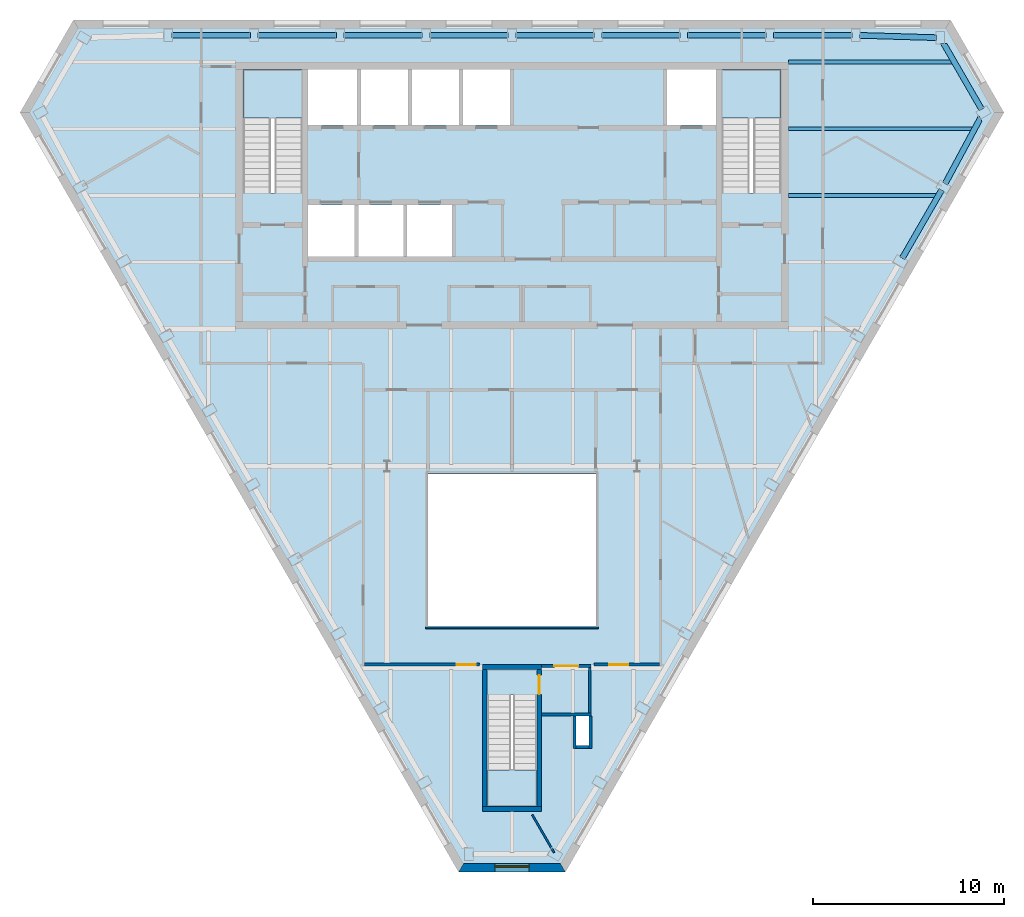
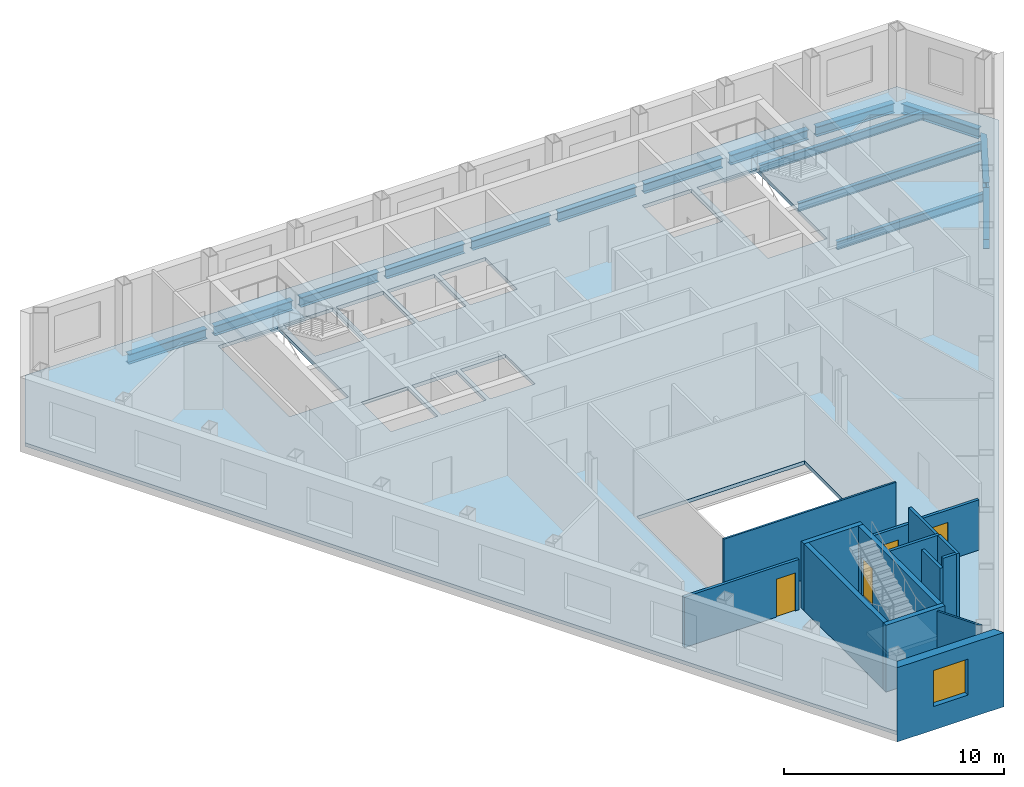
# One storey, part 3 of 10: 15 beams, 15 walls, 4 doors, 4 slabs, 1 window, 5 openings, 3 elements without a shape of their own.
"""IFC4 building model written with IfcOpenShell, lengths in metres."""

from ifc_helpers import new_model, si_unit, direction, frame, frame_2d, origin, origin_2d, place, context, subcontext, project, spatial, polyline, rectangle, i_section, outline, extrude, clip, halfspace, material, layer, layer_set, material_profile, profile_set, type_object, element, fill, aggregate, save


model = new_model("IFC4")

# Units and contexts
model_context = context("Model", 3, precision=1e-05, world=origin(), true_north=direction((0.0, 1.0)))
body_context = subcontext(model_context, "Body", "Model", "MODEL_VIEW")
ifc_project = project(units=[si_unit("LENGTHUNIT", "METRE"), si_unit("AREAUNIT", "SQUARE_METRE"), si_unit("VOLUMEUNIT", "CUBIC_METRE"), si_unit("PLANEANGLEUNIT", "RADIAN"), si_unit("MASSUNIT", "GRAM", prefix="KILO")], contexts=[model_context])

# Site, building, storey
site_placement = place(None, origin())
site = spatial("IfcSite", under=ifc_project, at=site_placement, CompositionType="ELEMENT")
building_placement = place(site_placement, origin())
building = spatial("IfcBuilding", under=site, at=building_placement, Name="Njiva Tower", CompositionType="ELEMENT")
storey_placement = place(building_placement, frame((0.0, 0.0, 276.6)))
storey = spatial("IfcBuildingStorey", under=building, at=storey_placement, Name="L63", CompositionType="ELEMENT", Elevation=276.6)

# Beams
ifc_material_1 = material(Name="Steel S355 J2", Category="steel")
ifc_material_profile_1 = material_profile(ifc_material_1, i_section(OverallWidth=0.19, OverallDepth=0.45, WebThickness=0.0094, FlangeThickness=0.0146, at=origin_2d()), Name="IPE 450")
ifc_profile_set_1 = profile_set([ifc_material_profile_1], Name="Steel S355 J2")
beam_type_1 = type_object("IfcBeamType", Name="B37 Floor beam to the core IPE 450", PredefinedType="BEAM", material=ifc_profile_set_1)
beam_1_placement = place(storey_placement, frame((14.5, 11.0, -0.425), z_axis=(1.0, 0.0, 0.0), x_axis=(0.0, 1.0, 0.0)))
element("IfcBeam", 1, at=beam_1_placement, inside=storey, type_object=beam_type_1, Name="Floor beam to the core S20-B008", PredefinedType="BEAM", context=body_context, shape_type="Clipping", body=[
    clip(extrude(i_section(OverallWidth=0.19, OverallDepth=0.45, WebThickness=0.0094, FlangeThickness=0.0146, at=origin_2d()), origin(), (0.0, 0.0, 1.0), 7.824), halfspace(frame((-0.025, 0.0, 7.7347), z_axis=(-0.499998009787, 0.0, 0.866026552831), x_axis=(0.0, 1.0, 0.0)), False)),
])
beam_2_placement = place(storey_placement, frame((14.5, 18.0, -0.425), z_axis=(1.0, 0.0, 0.0), x_axis=(0.0, 1.0, 0.0)))
element("IfcBeam", 2, at=beam_2_placement, inside=storey, type_object=beam_type_1, Name="Floor beam to the core S20-B010", PredefinedType="BEAM", context=body_context, shape_type="Clipping", body=[
    clip(extrude(i_section(OverallWidth=0.19, OverallDepth=0.45, WebThickness=0.0094, FlangeThickness=0.0146, at=origin_2d()), origin(), (0.0, 0.0, 1.0), 8.652), halfspace(frame((0.025, 0.0, 8.5628), z_axis=(0.499998009787, 0.0, 0.866026552831), x_axis=(0.0, 1.0, 0.0)), False)),
])
ifc_material_profile_2 = material_profile(ifc_material_1, i_section(OverallWidth=0.3, OverallDepth=0.54, WebThickness=0.0125, FlangeThickness=0.024, at=origin_2d()), Name="HEA 550")
ifc_profile_set_2 = profile_set([ifc_material_profile_2], Name="Steel S355 J2")
beam_type_2 = type_object("IfcBeamType", Name="B39 Short-span spandrel beam HEA 550", PredefinedType="SPANDREL", material=ifc_profile_set_2)
beam_3_placement = place(storey_placement, frame((22.257, 19.273, -0.47), z_axis=(-0.999547991975, 0.030063461852, 0.0), x_axis=(-0.030063461852, -0.999547991975, 0.0)))
element("IfcBeam", 3, at=beam_3_placement, inside=storey, type_object=beam_type_2, Name="Short-span spandrel beam S20-B122", PredefinedType="SPANDREL", context=body_context, shape_type="SweptSolid", body=[
    extrude(i_section(OverallWidth=0.3, OverallDepth=0.54, WebThickness=0.0125, FlangeThickness=0.024, at=origin_2d()), origin(), (0.0, 0.0, 1.0), 4.0248),
])
beam_4_placement = place(storey_placement, frame((17.83, 19.4, -0.47), z_axis=(-1.0, 0.0, 0.0), x_axis=(0.0, -1.0, 0.0)))
element("IfcBeam", 4, at=beam_4_placement, inside=storey, type_object=beam_type_2, Name="Short-span spandrel beam S20-B116", PredefinedType="SPANDREL", context=body_context, shape_type="SweptSolid", body=[
    extrude(i_section(OverallWidth=0.3, OverallDepth=0.54, WebThickness=0.0125, FlangeThickness=0.024, at=origin_2d()), origin(), (0.0, 0.0, 1.0), 4.107),
])
beam_5_placement = place(storey_placement, frame((13.323, 19.4, -0.47), z_axis=(-1.0, 0.0, 0.0), x_axis=(0.0, -1.0, 0.0)))
element("IfcBeam", 5, at=beam_5_placement, inside=storey, type_object=beam_type_2, Name="Short-span spandrel beam S20-B111", PredefinedType="SPANDREL", context=body_context, shape_type="SweptSolid", body=[
    extrude(i_section(OverallWidth=0.3, OverallDepth=0.54, WebThickness=0.0125, FlangeThickness=0.024, at=origin_2d()), origin(), (0.0, 0.0, 1.0), 4.108),
])
beam_6_placement = place(storey_placement, frame((8.815, 19.4, -0.47), z_axis=(-1.0, 0.0, 0.0), x_axis=(0.0, -1.0, 0.0)))
element("IfcBeam", 6, at=beam_6_placement, inside=storey, type_object=beam_type_2, Name="Short-span spandrel beam S20-B106", PredefinedType="SPANDREL", context=body_context, shape_type="SweptSolid", body=[
    extrude(i_section(OverallWidth=0.3, OverallDepth=0.54, WebThickness=0.0125, FlangeThickness=0.024, at=origin_2d()), origin(), (0.0, 0.0, 1.0), 4.107),
])
for number, where, z_axis, x_axis, name in (
    (7, (4.308, 19.4, -0.47), (-1.0, 0.0, 0.0), (0.0, -1.0, 0.0), "Short-span spandrel beam S20-B100"),
    (8, (-0.2, 19.4, -0.47), (-1.0, 0.0, 0.0), (0.0, -1.0, 0.0), "Short-span spandrel beam S20-B097"),
):
    element("IfcBeam", number, at=place(storey_placement, frame(where, z_axis=z_axis, x_axis=x_axis)), inside=storey, type_object=beam_type_2, Name=name, PredefinedType="SPANDREL", context=body_context, shape_type="SweptSolid", body=[
        extrude(i_section(OverallWidth=0.3, OverallDepth=0.54, WebThickness=0.0125, FlangeThickness=0.024, at=origin_2d()), origin(), (0.0, 0.0, 1.0), 4.108),
    ])
beam_7_placement = place(storey_placement, frame((-4.708, 19.4, -0.47), z_axis=(-1.0, 0.0, 0.0), x_axis=(0.0, -1.0, 0.0)))
element("IfcBeam", 9, at=beam_7_placement, inside=storey, type_object=beam_type_2, Name="Short-span spandrel beam S20-B091", PredefinedType="SPANDREL", context=body_context, shape_type="SweptSolid", body=[
    extrude(i_section(OverallWidth=0.3, OverallDepth=0.54, WebThickness=0.0125, FlangeThickness=0.024, at=origin_2d()), origin(), (0.0, 0.0, 1.0), 4.107),
])
beam_8_placement = place(storey_placement, frame((-9.215, 19.4, -0.47), z_axis=(-1.0, 0.0, 0.0), x_axis=(0.0, -1.0, 0.0)))
element("IfcBeam", 10, at=beam_8_placement, inside=storey, type_object=beam_type_2, Name="Short-span spandrel beam S20-B086", PredefinedType="SPANDREL", context=body_context, shape_type="SweptSolid", body=[
    extrude(i_section(OverallWidth=0.3, OverallDepth=0.54, WebThickness=0.0125, FlangeThickness=0.024, at=origin_2d()), origin(), (0.0, 0.0, 1.0), 4.108),
])
beam_9_placement = place(storey_placement, frame((-13.723, 19.4, -0.47), z_axis=(-1.0, 0.0, 0.0), x_axis=(0.0, -1.0, 0.0)))
element("IfcBeam", 11, at=beam_9_placement, inside=storey, type_object=beam_type_2, Name="Short-span spandrel beam S20-B081", PredefinedType="SPANDREL", context=body_context, shape_type="SweptSolid", body=[
    extrude(i_section(OverallWidth=0.3, OverallDepth=0.54, WebThickness=0.0125, FlangeThickness=0.024, at=origin_2d()), origin(), (0.0, 0.0, 1.0), 4.107),
])
beam_10_placement = place(storey_placement, frame((20.469, 7.716, -0.47), z_axis=(0.499961250474, 0.866047774678, 0.0), x_axis=(-0.866047774678, 0.499961250474, 0.0)))
element("IfcBeam", 12, at=beam_10_placement, inside=storey, type_object=beam_type_2, Name="Short-span spandrel beam S20-B124", PredefinedType="SPANDREL", context=body_context, shape_type="SweptSolid", body=[
    extrude(i_section(OverallWidth=0.3, OverallDepth=0.54, WebThickness=0.0125, FlangeThickness=0.024, at=origin_2d()), origin(), (0.0, 0.0, 1.0), 4.1083),
])
beam_11_placement = place(storey_placement, frame((22.719, 11.626, -0.47), z_axis=(0.473838311097, 0.880611863954, 0.0), x_axis=(-0.880611863954, 0.473838311097, 0.0)))
element("IfcBeam", 13, at=beam_11_placement, inside=storey, type_object=beam_type_2, Name="Short-span spandrel beam S20-B128", PredefinedType="SPANDREL", context=body_context, shape_type="Clipping", body=[
    clip(extrude(i_section(OverallWidth=0.3, OverallDepth=0.54, WebThickness=0.0125, FlangeThickness=0.024, at=origin_2d()), origin(), (0.0, 0.0, 1.0), 3.9898), halfspace(frame((-0.026, 0.0, 3.8604), z_axis=(-0.525715044414, 0.0, 0.85066073853), x_axis=(0.0, 1.0, 0.0)), False)),
])
beam_12_placement = place(storey_placement, frame((24.623, 15.523, -0.47), z_axis=(-0.500114213461, 0.865959452569, 0.0), x_axis=(-0.865959452569, -0.500114213461, 0.0)))
element("IfcBeam", 14, at=beam_12_placement, inside=storey, type_object=beam_type_2, Name="Short-span spandrel beam S20-B125", PredefinedType="SPANDREL", context=body_context, shape_type="Clipping", body=[
    clip(extrude(i_section(OverallWidth=0.3, OverallDepth=0.54, WebThickness=0.0125, FlangeThickness=0.024, at=origin_2d()), origin(), (0.0, 0.0, 1.0), 4.0841), halfspace(frame((-0.0254, 0.0, 3.9624), z_axis=(-0.500114213461, 0.0, 0.865959452569), x_axis=(0.0, 1.0, 0.0)), False)),
])
ifc_material_profile_3 = material_profile(ifc_material_1, i_section(OverallWidth=0.19, OverallDepth=0.45, WebThickness=0.0094, FlangeThickness=0.0146, at=origin_2d()), Name="IPE 450")
ifc_profile_set_3 = profile_set([ifc_material_profile_3], Name="Steel S355 J2")
beam_type_3 = type_object("IfcBeamType", Name="B45 Long-span floor beam to the core IPE 450", PredefinedType="BEAM", material=ifc_profile_set_3)
beam_13_placement = place(storey_placement, frame((14.5, 14.5, -0.425), z_axis=(1.0, 0.0, 0.0), x_axis=(0.0, 1.0, 0.0)))
element("IfcBeam", 15, at=beam_13_placement, inside=storey, type_object=beam_type_3, Name="Long-span floor beam to the core S20-B009", PredefinedType="BEAM", context=body_context, shape_type="Clipping", body=[
    clip(extrude(i_section(OverallWidth=0.19, OverallDepth=0.45, WebThickness=0.0094, FlangeThickness=0.0146, at=origin_2d()), origin(), (0.0, 0.0, 1.0), 9.723), halfspace(frame((-0.0237, 0.0, 9.6388), z_axis=(-0.473769423091, 0.0, 0.880648927634), x_axis=(0.0, 1.0, 0.0)), False)),
])

# Stair, slab
ifc_material_2 = material(Name="Concrete C40/50", Category="concrete")
stair_type_1 = type_object("IfcStairType", Name="ST3 Exit stair 1450", PredefinedType="HALF_TURN_STAIR", material=ifc_material_2)
stair_1_placement = place(storey_placement, origin())
stair_1 = element("IfcStair", 16, at=stair_1_placement, inside=storey, type_object=stair_type_1, Name="Stair A", PredefinedType="HALF_TURN_STAIR")
ifc_layer_1 = layer(ifc_material_2, 0.2)
ifc_layer_set_1 = layer_set([ifc_layer_1], Name="Concrete C40/50")
slab_type_1 = type_object("IfcSlabType", Name="FL9 Stair landing 200", PredefinedType="LANDING", material=ifc_layer_set_1)
slab_1_placement = place(storey_placement, frame((0.0, 0.0, 1.75)))
slab_1 = element("IfcSlab", 17, at=slab_1_placement, type_object=slab_type_1, Name="ST-A landing 1", PredefinedType="LANDING", context=body_context, shape_type="SweptSolid", body=[
    extrude(outline(polyline([(-14.106, 15.06), (-10.994, 15.06), (-10.994, 17.6), (-14.106, 17.6), (-14.106, 15.06)])), origin(), (0.0, 0.0, 1.0), 0.2),
])
aggregate(stair_1, [slab_1])

stair_2_placement = place(storey_placement, origin())
stair_2 = element("IfcStair", 18, at=stair_2_placement, inside=storey, type_object=stair_type_1, Name="Stair B", PredefinedType="HALF_TURN_STAIR")
slab_2_placement = place(storey_placement, frame((0.0, 0.0, 1.75)))
slab_2 = element("IfcSlab", 19, at=slab_2_placement, type_object=slab_type_1, Name="ST-B landing 1", PredefinedType="LANDING", context=body_context, shape_type="SweptSolid", body=[
    extrude(outline(polyline([(10.994, 15.06), (14.106, 15.06), (14.106, 17.6), (10.994, 17.6), (10.994, 15.06)])), origin(), (0.0, 0.0, 1.0), 0.2),
])
aggregate(stair_2, [slab_2])

stair_type_2 = type_object("IfcStairType", Name="ST1 Exit stair 1250", PredefinedType="HALF_TURN_STAIR", material=ifc_material_2)
stair_3_placement = place(storey_placement, origin())
stair_3 = element("IfcStair", 20, at=stair_3_placement, inside=storey, type_object=stair_type_2, Name="Stair C", PredefinedType="HALF_TURN_STAIR")
slab_3_placement = place(storey_placement, frame((0.0, 0.0, 1.75)))
slab_3 = element("IfcSlab", 21, at=slab_3_placement, type_object=slab_type_1, Name="ST-C landing 1", PredefinedType="LANDING", context=body_context, shape_type="SweptSolid", body=[
    extrude(outline(polyline([(-1.306, -21.05), (1.306, -21.05), (1.306, -19.12), (-1.306, -19.12), (-1.306, -21.05)])), origin(), (0.0, 0.0, 1.0), 0.2),
])
aggregate(stair_3, [slab_3])

# Slab
ifc_material_3 = material(Name="Concrete C30/37", Category="concrete")
ifc_layer_2 = layer(ifc_material_3, 0.2)
ifc_layer_set_2 = layer_set([ifc_layer_2], Name="Concrete C30/37")
slab_type_2 = type_object("IfcSlabType", Name="SL16 Composite floor slab 200", PredefinedType="FLOOR", material=ifc_layer_set_2)
slab_4_placement = place(storey_placement, frame((0.0, 0.0, -0.2)))
element("IfcSlab", 22, at=slab_4_placement, inside=storey, type_object=slab_type_2, Name="Floor slab L63", PredefinedType="FLOOR", context=body_context, shape_type="SweptSolid", body=[
    extrude(outline(polyline([(25.5402, 15.3503), (2.6701, -24.2619), (-2.6701, -24.2619), (-25.5402, 15.3503), (-22.8701, 19.975), (22.8701, 19.975), (25.5402, 15.3503)]), holes=[polyline([(10.994, 11.13), (14.106, 11.13), (14.106, 17.6), (10.994, 17.6), (10.994, 11.13)]), polyline([(8.125, 14.7), (10.7, 14.7), (10.7, 17.6), (8.125, 17.6), (8.125, 14.7)]), polyline([(4.4, -11.6), (4.4, -3.6), (-4.4, -3.6), (-4.4, -11.6), (4.4, -11.6)]), polyline([(3.35, -17.85), (4.05, -17.85), (4.05, -16.3), (3.35, -16.3), (3.35, -17.85)]), polyline([(-1.306, -21.05), (1.306, -21.05), (1.306, -15.19), (-1.306, -15.19), (-1.306, -21.05)]), polyline([(-2.575, 14.7), (-0.1, 14.7), (-0.1, 17.6), (-2.575, 17.6), (-2.575, 14.7)]), polyline([(-2.775, 14.7), (-2.775, 17.6), (-5.25, 17.6), (-5.25, 14.7), (-2.775, 14.7)]), polyline([(-5.5, 7.8), (-3.15, 7.8), (-3.15, 10.5), (-5.5, 10.5), (-5.5, 7.8)]), polyline([(-7.925, 14.7), (-5.45, 14.7), (-5.45, 17.6), (-7.925, 17.6), (-7.925, 14.7)]), polyline([(-8.05, 7.8), (-5.7, 7.8), (-5.7, 10.5), (-8.05, 10.5), (-8.05, 7.8)]), polyline([(-10.7, 14.7), (-8.125, 14.7), (-8.125, 17.6), (-10.7, 17.6), (-10.7, 14.7)]), polyline([(-8.25, 7.8), (-8.25, 10.5), (-10.7, 10.5), (-10.7, 7.8), (-8.25, 7.8)]), polyline([(-10.994, 11.13), (-10.994, 17.6), (-14.106, 17.6), (-14.106, 11.13), (-10.994, 11.13)])]), origin(), (0.0, 0.0, 1.0), 0.2),
])

# Wall
ifc_material_4 = material(Name="Gypsum board on steel studs", Category="gypsum")
ifc_layer_3 = layer(ifc_material_4, 0.1)
ifc_layer_set_3 = layer_set([ifc_layer_3], Name="Gypsum board on steel studs")
wall_type_1 = type_object("IfcWallType", Name="WT20 Gypsum partition 100", PredefinedType="PARTITIONING", material=ifc_layer_set_3)
wall_1_placement = place(storey_placement, frame((1.061, -21.475, 0.0), z_axis=(0.0, 0.0, 1.0), x_axis=(0.499973348067, -0.866040790738, 0.0)))
element("IfcWall", 23, at=wall_1_placement, inside=storey, type_object=wall_type_1, Name="Partition S20-P013", PredefinedType="PARTITIONING", context=body_context, shape_type="SweptSolid", body=[
    extrude(rectangle(XDim=2.3001, YDim=0.1, at=frame_2d((1.15, 0.0))), origin(), (0.0, 0.0, 1.0), 3.7),
])

# Wall, opening, door
ifc_layer_4 = layer(ifc_material_4, 0.15)
ifc_layer_set_4 = layer_set([ifc_layer_4], Name="Gypsum board on steel studs")
wall_type_2 = type_object("IfcWallType", Name="WT21 Compartment wall 150", PredefinedType="PARTITIONING", material=ifc_layer_set_4)
wall_2_placement = place(storey_placement, frame((-7.725, -13.6, 0.0), z_axis=(0.0, 0.0, 1.0), x_axis=(1.0, 0.0, 0.0)))
wall_2 = element("IfcWall", 24, at=wall_2_placement, inside=storey, type_object=wall_type_2, Name="Partition S20-P009", PredefinedType="PARTITIONING", context=body_context, shape_type="SweptSolid", body=[
    extrude(rectangle(XDim=6.025, YDim=0.15, at=frame_2d((3.0125, 0.0))), origin(), (0.0, 0.0, 1.0), 2.79),
])
opening_1_placement = place(wall_2_placement, frame((4.825, 0.0, 0.0)))
opening_1 = element("IfcOpeningElement", 25, at=opening_1_placement, cuts=wall_2, Name="Opening S20-D005", PredefinedType="OPENING", context=body_context, shape_type="SweptSolid", body=[
    extrude(rectangle(XDim=1.0, YDim=2.1, at=frame_2d((0.5, 1.05))), frame((0.0, 0.085, 0.0), z_axis=(0.0, -1.0, 0.0), x_axis=(1.0, 0.0, 0.0)), (0.0, 0.0, 1.0), 0.17),
])
ifc_material_5 = material(Name="Steel fire door set", Category="steel")
door_type_1 = type_object("IfcDoorType", Name="D37 Fire door 1000x2100", OperationType="SINGLE_SWING_LEFT", PredefinedType="DOOR", material=ifc_material_5)
door_1_placement = place(opening_1_placement, origin())
door_1 = element("IfcDoor", 26, at=door_1_placement, inside=storey, type_object=door_type_1, Name="Door S20-D005", OperationType="SINGLE_SWING_LEFT", OverallHeight=2.1, OverallWidth=1.0, PredefinedType="DOOR", context=body_context, shape_type="SweptSolid", body=[
    extrude(rectangle(XDim=1.0, YDim=2.1, at=frame_2d((0.5, 1.05))), frame((0.0, 0.025, 0.0), z_axis=(0.0, -1.0, 0.0), x_axis=(1.0, 0.0, 0.0)), (0.0, 0.0, 1.0), 0.05),
])
fill(opening_1, door_1)

wall_3_placement = place(storey_placement, frame((4.3, -13.6, 0.0), z_axis=(0.0, 0.0, 1.0), x_axis=(1.0, 0.0, 0.0)))
wall_3 = element("IfcWall", 27, at=wall_3_placement, inside=storey, type_object=wall_type_2, Name="Partition S20-P014", PredefinedType="PARTITIONING", context=body_context, shape_type="SweptSolid", body=[
    extrude(rectangle(XDim=3.425, YDim=0.15, at=frame_2d((1.7125, 0.0))), origin(), (0.0, 0.0, 1.0), 2.79),
])
opening_2_placement = place(wall_3_placement, frame((0.798, 0.0, 0.0)))
opening_2 = element("IfcOpeningElement", 28, at=opening_2_placement, cuts=wall_3, Name="Opening S20-D009", PredefinedType="OPENING", context=body_context, shape_type="SweptSolid", body=[
    extrude(rectangle(XDim=1.0, YDim=2.1, at=frame_2d((0.5, 1.05))), frame((0.0, 0.085, 0.0), z_axis=(0.0, -1.0, 0.0), x_axis=(1.0, 0.0, 0.0)), (0.0, 0.0, 1.0), 0.17),
])
door_2_placement = place(opening_2_placement, origin())
door_2 = element("IfcDoor", 29, at=door_2_placement, inside=storey, type_object=door_type_1, Name="Door S20-D009", OperationType="SINGLE_SWING_LEFT", OverallHeight=2.1, OverallWidth=1.0, PredefinedType="DOOR", context=body_context, shape_type="SweptSolid", body=[
    extrude(rectangle(XDim=1.0, YDim=2.1, at=frame_2d((0.5, 1.05))), frame((0.0, 0.025, 0.0), z_axis=(0.0, -1.0, 0.0), x_axis=(1.0, 0.0, 0.0)), (0.0, 0.0, 1.0), 0.05),
])
fill(opening_2, door_2)

# Walls
ifc_material_6 = material(Name="Blockwork", Category="masonry")
ifc_layer_5 = layer(ifc_material_6, 0.15)
ifc_layer_set_5 = layer_set([ifc_layer_5], Name="Blockwork")
wall_type_3 = type_object("IfcWallType", Name="WT4 Stair partition 150", PredefinedType="PARTITIONING", material=ifc_layer_set_5)
wall_4_placement = place(storey_placement, frame((1.55, -16.225, 0.0), z_axis=(0.0, 0.0, 1.0), x_axis=(1.0, 0.0, 0.0)))
element("IfcWall", 30, at=wall_4_placement, inside=storey, type_object=wall_type_3, Name="Stair C vestibule wall south", PredefinedType="PARTITIONING", context=body_context, shape_type="SweptSolid", body=[
    extrude(rectangle(XDim=2.6, YDim=0.15, at=frame_2d((1.3, 0.0))), origin(), (0.0, 0.0, 1.0), 3.7),
])
wall_5_placement = place(storey_placement, frame((4.075, -16.15, 0.0), z_axis=(0.0, 0.0, 1.0), x_axis=(0.0, 1.0, 0.0)))
element("IfcWall", 31, at=wall_5_placement, inside=storey, type_object=wall_type_3, Name="Stair C vestibule wall east", PredefinedType="PARTITIONING", context=body_context, shape_type="SweptSolid", body=[
    extrude(rectangle(XDim=2.4, YDim=0.15, at=frame_2d((1.2, 0.0))), origin(), (0.0, 0.0, 1.0), 3.7),
])

# Wall, opening, door
wall_6_placement = place(storey_placement, frame((1.55, -13.675, 0.0), z_axis=(0.0, 0.0, 1.0), x_axis=(1.0, 0.0, 0.0)))
wall_6 = element("IfcWall", 32, at=wall_6_placement, inside=storey, type_object=wall_type_3, Name="Stair C vestibule wall north", PredefinedType="PARTITIONING", context=body_context, shape_type="SweptSolid", body=[
    extrude(rectangle(XDim=2.6, YDim=0.15, at=frame_2d((1.3, 0.0))), origin(), (0.0, 0.0, 1.0), 2.79),
])
opening_3_placement = place(wall_6_placement, frame((0.675, 0.0, 0.0)))
opening_3 = element("IfcOpeningElement", 33, at=opening_3_placement, cuts=wall_6, Name="Opening S20-D931", PredefinedType="OPENING", context=body_context, shape_type="SweptSolid", body=[
    extrude(rectangle(XDim=1.25, YDim=2.1, at=frame_2d((0.625, 1.05))), frame((0.0, 0.085, 0.0), z_axis=(0.0, -1.0, 0.0), x_axis=(1.0, 0.0, 0.0)), (0.0, 0.0, 1.0), 0.17),
])
ifc_material_7 = material(Name="Glazed steel fire door", Category="steel")
door_type_2 = type_object("IfcDoorType", Name="D8 Vestibule corridor door 1250x2100 glazed", OperationType="SINGLE_SWING_LEFT", PredefinedType="DOOR", material=ifc_material_7)
door_3_placement = place(opening_3_placement, origin())
door_3 = element("IfcDoor", 34, at=door_3_placement, inside=storey, type_object=door_type_2, Name="Stair vestibule corridor door", OperationType="SINGLE_SWING_RIGHT", OverallHeight=2.1, OverallWidth=1.25, PredefinedType="DOOR", context=body_context, shape_type="SweptSolid", body=[
    extrude(rectangle(XDim=1.25, YDim=2.1, at=frame_2d((0.625, 1.05))), frame((0.0, 0.025, 0.0), z_axis=(0.0, -1.0, 0.0), x_axis=(1.0, 0.0, 0.0)), (0.0, 0.0, 1.0), 0.05),
])
fill(opening_3, door_3)

# Walls
wall_7_placement = place(storey_placement, frame((3.275, -18.0, 0.0), z_axis=(0.0, 0.0, 1.0), x_axis=(0.0, 1.0, 0.0)))
element("IfcWall", 35, at=wall_7_placement, inside=storey, type_object=wall_type_3, Name="Stair C pressurisation shaft wall", PredefinedType="PARTITIONING", context=body_context, shape_type="SweptSolid", body=[
    extrude(rectangle(XDim=1.7, YDim=0.15, at=frame_2d((0.85, 0.0))), origin(), (0.0, 0.0, 1.0), 3.2),
])
wall_8_placement = place(storey_placement, frame((3.35, -17.925, 0.0), z_axis=(0.0, 0.0, 1.0), x_axis=(1.0, 0.0, 0.0)))
element("IfcWall", 36, at=wall_8_placement, inside=storey, type_object=wall_type_3, Name="Stair C pressurisation shaft wall", PredefinedType="PARTITIONING", context=body_context, shape_type="SweptSolid", body=[
    extrude(rectangle(XDim=0.7, YDim=0.15, at=frame_2d((0.35, 0.0))), origin(), (0.0, 0.0, 1.0), 3.7),
])
wall_9_placement = place(storey_placement, frame((4.125, -18.0, 0.0), z_axis=(0.0, 0.0, 1.0), x_axis=(0.0, 1.0, 0.0)))
element("IfcWall", 37, at=wall_9_placement, inside=storey, type_object=wall_type_3, Name="Stair C pressurisation shaft wall", PredefinedType="PARTITIONING", context=body_context, shape_type="SweptSolid", body=[
    extrude(rectangle(XDim=1.7, YDim=0.15, at=frame_2d((0.85, 0.0))), origin(), (0.0, 0.0, 1.0), 3.7),
])
ifc_layer_6 = layer(ifc_material_2, 0.25)
ifc_layer_set_6 = layer_set([ifc_layer_6], Name="Concrete C40/50")
wall_type_4 = type_object("IfcWallType", Name="WT9 Stair enclosure wall 250", PredefinedType="SHEAR", material=ifc_layer_set_6)
wall_10_placement = place(storey_placement, frame((-1.425, -21.05, 0.0), z_axis=(0.0, 0.0, 1.0), x_axis=(0.0, 1.0, 0.0)))
element("IfcWall", 38, at=wall_10_placement, inside=storey, type_object=wall_type_4, Name="Stair C wall west", PredefinedType="SHEAR", context=body_context, shape_type="SweptSolid", body=[
    extrude(rectangle(XDim=7.2, YDim=0.25, at=frame_2d((3.6, 0.0))), origin(), (0.0, 0.0, 1.0), 3.7),
])

# Wall, opening, door
wall_11_placement = place(storey_placement, frame((1.425, -21.05, 0.0), z_axis=(0.0, 0.0, 1.0), x_axis=(0.0, 1.0, 0.0)))
wall_11 = element("IfcWall", 39, at=wall_11_placement, inside=storey, type_object=wall_type_4, Name="Stair C wall east", PredefinedType="SHEAR", context=body_context, shape_type="SweptSolid", body=[
    extrude(rectangle(XDim=7.2, YDim=0.25, at=frame_2d((3.6, 0.0))), origin(), (0.0, 0.0, 1.0), 3.7),
])
opening_4_placement = place(wall_11_placement, frame((5.89, 0.0, 0.0)))
opening_4 = element("IfcOpeningElement", 40, at=opening_4_placement, cuts=wall_11, Name="Opening S20-D930", PredefinedType="OPENING", context=body_context, shape_type="SweptSolid", body=[
    extrude(rectangle(XDim=1.0, YDim=2.1, at=frame_2d((0.5, 1.05))), frame((0.0, 0.135, 0.0), z_axis=(0.0, -1.0, 0.0), x_axis=(1.0, 0.0, 0.0)), (0.0, 0.0, 1.0), 0.27),
])
door_type_3 = type_object("IfcDoorType", Name="D9 Stair vestibule door 1000x2100 glazed", OperationType="SINGLE_SWING_LEFT", PredefinedType="DOOR", material=ifc_material_7)
door_4_placement = place(opening_4_placement, origin())
door_4 = element("IfcDoor", 41, at=door_4_placement, inside=storey, type_object=door_type_3, Name="Stair C door", OperationType="SINGLE_SWING_LEFT", OverallHeight=2.1, OverallWidth=1.0, PredefinedType="DOOR", context=body_context, shape_type="SweptSolid", body=[
    extrude(rectangle(XDim=1.0, YDim=2.1, at=frame_2d((0.5, 1.05))), frame((0.0, 0.025, 0.0), z_axis=(0.0, -1.0, 0.0), x_axis=(1.0, 0.0, 0.0)), (0.0, 0.0, 1.0), 0.05),
])
fill(opening_4, door_4)

# Walls
for number, where, z_axis, x_axis, name in (
    (42, (-1.55, -21.175, 0.0), (0.0, 0.0, 1.0), (1.0, 0.0, 0.0), "Stair C wall south"),
    (43, (-1.55, -13.725, 0.0), (0.0, 0.0, 1.0), (1.0, 0.0, 0.0), "Stair C wall north"),
):
    element("IfcWall", number, at=place(storey_placement, frame(where, z_axis=z_axis, x_axis=x_axis)), inside=storey, type_object=wall_type_4, Name=name, PredefinedType="SHEAR", context=body_context, shape_type="SweptSolid", body=[
        extrude(rectangle(XDim=3.1, YDim=0.25, at=frame_2d((1.55, 0.0))), origin(), (0.0, 0.0, 1.0), 3.7),
    ])

# Wall, opening, window
ifc_material_8 = material(Name="Brick masonry, buff", Category="masonry")
ifc_layer_7 = layer(ifc_material_8, 0.45)
ifc_layer_set_7 = layer_set([ifc_layer_7], Name="Brick masonry, buff")
wall_type_5 = type_object("IfcWallType", Name="WT94 Brick pier and spandrel wall 450, buff", PredefinedType="SOLIDWALL", material=ifc_layer_set_7)
wall_12_placement = place(storey_placement, frame((-2.6701, -24.2619, -0.4), z_axis=(0.0, 0.0, 1.0), x_axis=(1.0, 0.0, 0.0)))
wall_12 = element("IfcWall", 44, at=wall_12_placement, inside=storey, type_object=wall_type_5, Name="Facade wall S", PredefinedType="SOLIDWALL", context=body_context, shape_type="SweptSolid", body=[
    extrude(outline(polyline([(-0.1299, -0.225), (5.4701, -0.225), (5.2103, 0.225), (0.1299, 0.225), (-0.1299, -0.225)])), origin(), (0.0, 0.0, 1.0), 4.12),
])
opening_5_placement = place(wall_12_placement, frame((1.7701, 0.0, 1.3)))
opening_5 = element("IfcOpeningElement", 45, at=opening_5_placement, cuts=wall_12, Name="Opening S20-W19", PredefinedType="OPENING", context=body_context, shape_type="SweptSolid", body=[
    extrude(rectangle(XDim=1.8, YDim=2.0, at=frame_2d((0.9, 1.0))), frame((0.0, 0.235, 0.0), z_axis=(0.0, -1.0, 0.0), x_axis=(1.0, 0.0, 0.0)), (0.0, 0.0, 1.0), 0.47),
])
ifc_material_9 = material(Name="Clear glazing in aluminium frame", Category="aluminium")
window_type = type_object("IfcWindowType", Name="W94 Deep-set window 1800x2000", PartitioningType="SINGLE_PANEL", PredefinedType="WINDOW", material=ifc_material_9)
window_placement = place(opening_5_placement, origin())
window = element("IfcWindow", 46, at=window_placement, inside=storey, type_object=window_type, Name="Window", OverallHeight=2.0, OverallWidth=1.8, PartitioningType="SINGLE_PANEL", PredefinedType="WINDOW", context=body_context, shape_type="SweptSolid", body=[
    extrude(rectangle(XDim=1.8, YDim=2.0, at=frame_2d((0.9, 1.0))), frame((0.0, 0.105, 0.0), z_axis=(0.0, -1.0, 0.0), x_axis=(1.0, 0.0, 0.0)), (0.0, 0.0, 1.0), 0.06),
])
fill(opening_5, window)

# Wall
ifc_material_10 = material(Name="Fire-resisting glazing EI 90", Category="glass")
ifc_layer_8 = layer(ifc_material_10, 0.1)
ifc_layer_set_8 = layer_set([ifc_layer_8], Name="Fire-resisting glazing EI 90")
wall_type_6 = type_object("IfcWallType", Name="WT95 Fire-resisting glazed screen EI 90", PredefinedType="PARTITIONING", material=ifc_layer_set_8)
wall_13_placement = place(storey_placement, frame((-4.52, -11.67, 0.0), z_axis=(0.0, 0.0, 1.0), x_axis=(1.0, 0.0, 0.0)))
element("IfcWall", 47, at=wall_13_placement, inside=storey, type_object=wall_type_6, Name="Atrium fire screen south", PredefinedType="PARTITIONING", context=body_context, shape_type="SweptSolid", body=[
    extrude(rectangle(XDim=9.04, YDim=0.1, at=frame_2d((4.52, 0.0))), origin(), (0.0, 0.0, 1.0), 3.7),
])

save(model, "model.ifc")
